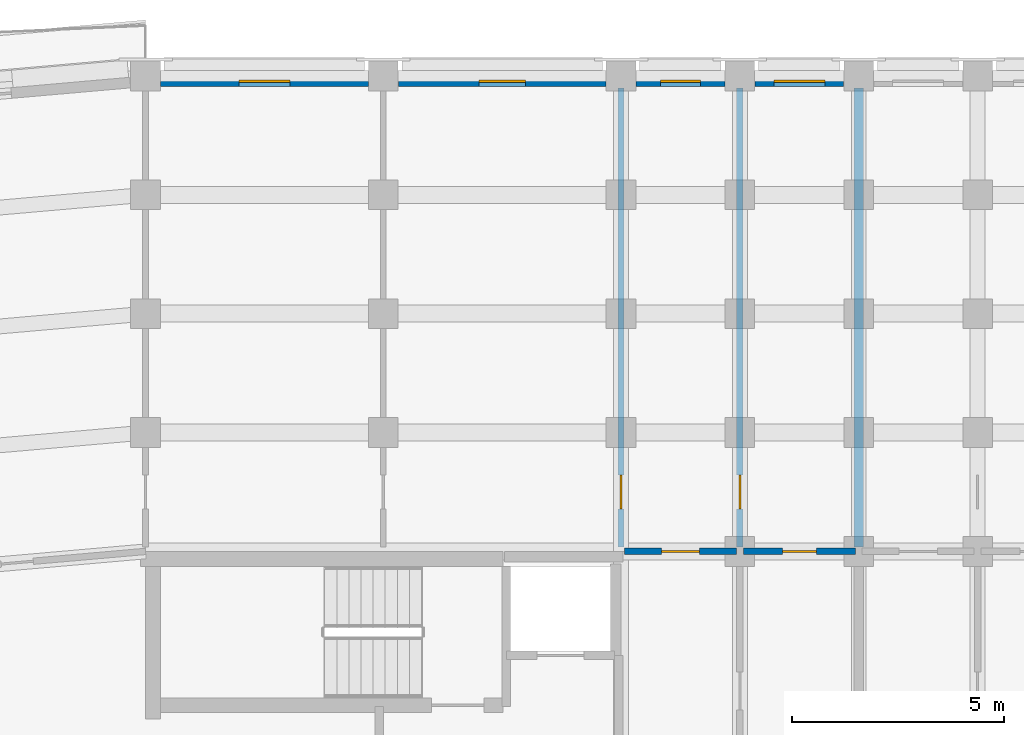
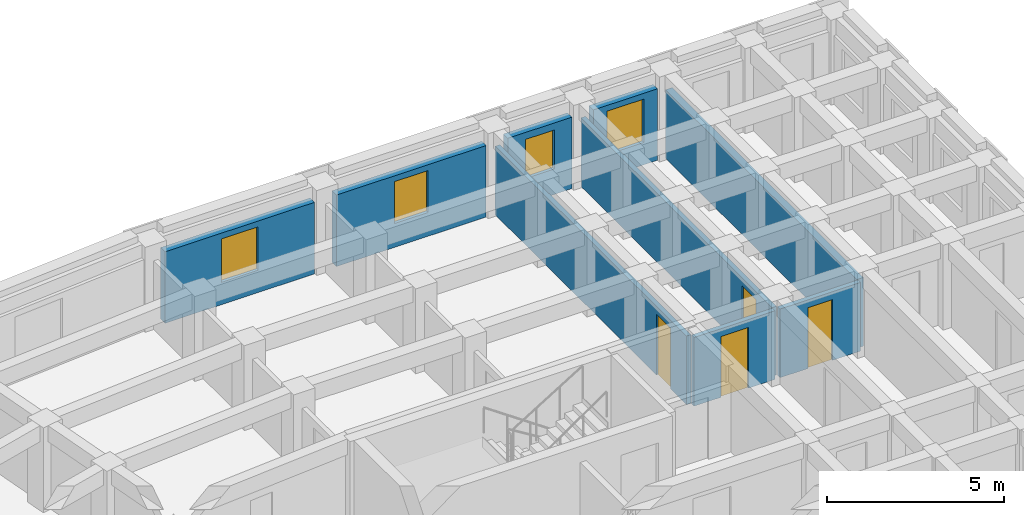
# One storey, part 28 of 54: 9 walls, 4 doors, 4 windows, 8 openings.
"""IFC4 building model written with IfcOpenShell, lengths in metres."""

from ifc_helpers import new_model, si_unit, direction, frame, frame_2d, origin, place, context, subcontext, project, spatial, rectangle, extrude, material, layer, layer_set, type_object, element, fill, save


model = new_model("IFC4")

# Units and contexts
model_context = context("Model", 3, precision=1e-05, world=origin(), true_north=direction((0.0, 1.0)))
body_context = subcontext(model_context, "Body", "Model", "MODEL_VIEW")
ifc_project = project(units=[si_unit("LENGTHUNIT", "METRE"), si_unit("AREAUNIT", "SQUARE_METRE"), si_unit("VOLUMEUNIT", "CUBIC_METRE"), si_unit("PLANEANGLEUNIT", "RADIAN"), si_unit("MASSUNIT", "GRAM", prefix="KILO")], contexts=[model_context])

# Site, building, storey
site_placement = place(None, origin())
site = spatial("IfcSite", under=ifc_project, at=site_placement, CompositionType="ELEMENT")
building_placement = place(site_placement, origin())
building = spatial("IfcBuilding", under=site, at=building_placement, Name="Kiranvali Square Residences", CompositionType="ELEMENT")
storey_placement = place(building_placement, frame((0.0, 0.0, 27.60009765625)))
storey = spatial("IfcBuildingStorey", under=building, at=storey_placement, Name="L08", CompositionType="ELEMENT", Elevation=27.60009765625)

# Wall
ifc_material_1 = material(Name="Autoclaved aerated concrete blockwork masonry", Category="masonry")
ifc_layer_1 = layer(ifc_material_1, 0.219970703125)
ifc_layer_set_1 = layer_set([ifc_layer_1], Name="Autoclaved aerated concrete blockwork masonry")
wall_type_1 = type_object("IfcWallType", Name="WL-DEM-220", PredefinedType="STANDARD", material=ifc_layer_set_1)
wall_1_placement = place(storey_placement, frame((65.0, 122.699951171875, 0.0), z_axis=(0.0, 0.0, 1.0), x_axis=(0.0, 1.0, 0.0)))
element("IfcWall", 1, at=wall_1_placement, inside=storey, type_object=wall_type_1, Name="L08 architectural wall WL-L08-A-A1TO2-2", PredefinedType="STANDARD", context=body_context, shape_type="SweptSolid", body=[
    extrude(rectangle(XDim=10.820068359375, YDim=0.219970703125, at=frame_2d((5.41015625, 0.0))), origin(), (0.0, 0.0, 1.0), 2.371826171875),
])

# Wall, opening, window
ifc_material_2 = material(Name="Breathable lime-rendered clay brick masonry", Category="masonry")
ifc_layer_2 = layer(ifc_material_2, 0.25)
ifc_layer_set_2 = layer_set([ifc_layer_2], Name="Breathable lime-rendered clay brick masonry")
wall_type_2 = type_object("IfcWallType", Name="WL-EXT-250", PredefinedType="STANDARD", material=ifc_layer_set_2)
wall_2_placement = place(storey_placement, frame((48.553466796875, 133.675048828125, 0.0), z_axis=(0.0, 0.0, 1.0), x_axis=(1.0, 0.0, 0.0)))
wall_2 = element("IfcWall", 2, at=wall_2_placement, inside=storey, type_object=wall_type_2, Name="L08 exterior wall A-L08-A1O-0", PredefinedType="STANDARD", context=body_context, shape_type="SweptSolid", body=[
    extrude(rectangle(XDim=4.89306640625, YDim=0.25, at=frame_2d((2.446533203125, 0.0))), origin(), (0.0, 0.0, 1.0), 2.471923828125),
])
opening_1_placement = place(wall_2_placement, frame((1.846435546875, 0.0, 0.77197265625)))
opening_1 = element("IfcOpeningElement", 3, at=opening_1_placement, cuts=wall_2, Name="Opening W-06", PredefinedType="OPENING", context=body_context, shape_type="SweptSolid", body=[
    extrude(rectangle(XDim=1.199951171875, YDim=1.5, at=frame_2d((0.60009765625, 0.75))), frame((0.0, 0.135009765625, 0.0), z_axis=(0.0, -1.0, 0.0), x_axis=(1.0, 0.0, 0.0)), (0.0, 0.0, 1.0), 0.27001953125),
])
ifc_material_3 = material(Name="Solar-control low-e double glazing", Category="glass")
window_type_1 = type_object("IfcWindowType", Name="WIN-RES-1200x1500", PartitioningType="SINGLE_PANEL", PredefinedType="WINDOW", material=ifc_material_3)
window_1_placement = place(opening_1_placement, origin())
window_1 = element("IfcWindow", 4, at=window_1_placement, inside=storey, type_object=window_type_1, Name="L08 recessed window A-L08-A1O-0", OverallHeight=1.5, OverallWidth=1.199951171875, PartitioningType="SINGLE_PANEL", PredefinedType="WINDOW", context=body_context, shape_type="SweptSolid", body=[
    extrude(rectangle(XDim=1.199951171875, YDim=1.5, at=frame_2d((0.60009765625, 0.75))), frame((0.0, 0.030029296875, 0.0), z_axis=(0.0, -1.0, 0.0), x_axis=(1.0, 0.0, 0.0)), (0.0, 0.0, 1.0), 0.06005859375),
])
fill(opening_1, window_1)

wall_3_placement = place(storey_placement, frame((54.153564453125, 133.675048828125, 0.0), z_axis=(0.0, 0.0, 1.0), x_axis=(1.0, 0.0, 0.0)))
wall_3 = element("IfcWall", 5, at=wall_3_placement, inside=storey, type_object=wall_type_2, Name="L08 exterior wall A-L08-A1O-1", PredefinedType="STANDARD", context=body_context, shape_type="SweptSolid", body=[
    extrude(rectangle(XDim=4.892822265625, YDim=0.25, at=frame_2d((2.4462890625, 0.0))), origin(), (0.0, 0.0, 1.0), 2.471923828125),
])
opening_2_placement = place(wall_3_placement, frame((1.896484375, 0.0, 0.822021484375)))
opening_2 = element("IfcOpeningElement", 6, at=opening_2_placement, cuts=wall_3, Name="Opening W-15", PredefinedType="OPENING", context=body_context, shape_type="SweptSolid", body=[
    extrude(rectangle(XDim=1.10009765625, YDim=1.449951171875, at=frame_2d((0.550048828125, 0.72509765625))), frame((0.0, 0.135009765625, 0.0), z_axis=(0.0, -1.0, 0.0), x_axis=(1.0, 0.0, 0.0)), (0.0, 0.0, 1.0), 0.27001953125),
])
window_type_2 = type_object("IfcWindowType", Name="WIN-RES-1100x1450", PartitioningType="SINGLE_PANEL", PredefinedType="WINDOW", material=ifc_material_3)
window_2_placement = place(opening_2_placement, origin())
window_2 = element("IfcWindow", 7, at=window_2_placement, inside=storey, type_object=window_type_2, Name="L08 recessed window A-L08-A1O-1", OverallHeight=1.449951171875, OverallWidth=1.10009765625, PartitioningType="SINGLE_PANEL", PredefinedType="WINDOW", context=body_context, shape_type="SweptSolid", body=[
    extrude(rectangle(XDim=1.10009765625, YDim=1.449951171875, at=frame_2d((0.550048828125, 0.72509765625))), frame((0.0, 0.030029296875, 0.0), z_axis=(0.0, -1.0, 0.0), x_axis=(1.0, 0.0, 0.0)), (0.0, 0.0, 1.0), 0.06005859375),
])
fill(opening_2, window_2)

wall_4_placement = place(storey_placement, frame((59.75341796875, 133.675048828125, 0.0), z_axis=(0.0, 0.0, 1.0), x_axis=(1.0, 0.0, 0.0)))
wall_4 = element("IfcWall", 8, at=wall_4_placement, inside=storey, type_object=wall_type_2, Name="L08 exterior wall A-L08-A1O-2", PredefinedType="STANDARD", context=body_context, shape_type="SweptSolid", body=[
    extrude(rectangle(XDim=2.093017578125, YDim=0.25, at=frame_2d((1.04638671875, 0.0))), origin(), (0.0, 0.0, 1.0), 2.471923828125),
])
opening_3_placement = place(wall_4_placement, frame((0.571533203125, 0.0, 0.8798828125)))
opening_3 = element("IfcOpeningElement", 9, at=opening_3_placement, cuts=wall_4, Name="Opening W-16", PredefinedType="OPENING", context=body_context, shape_type="SweptSolid", body=[
    extrude(rectangle(XDim=0.949951171875, YDim=1.35009765625, at=frame_2d((0.47509765625, 0.675048828125))), frame((0.0, 0.135009765625, 0.0), z_axis=(0.0, -1.0, 0.0), x_axis=(1.0, 0.0, 0.0)), (0.0, 0.0, 1.0), 0.27001953125),
])
window_type_3 = type_object("IfcWindowType", Name="WIN-RES-950x1350", PartitioningType="SINGLE_PANEL", PredefinedType="WINDOW", material=ifc_material_3)
window_3_placement = place(opening_3_placement, origin())
window_3 = element("IfcWindow", 10, at=window_3_placement, inside=storey, type_object=window_type_3, Name="L08 recessed window A-L08-A1O-2", OverallHeight=1.35009765625, OverallWidth=0.949951171875, PartitioningType="SINGLE_PANEL", PredefinedType="WINDOW", context=body_context, shape_type="SweptSolid", body=[
    extrude(rectangle(XDim=0.949951171875, YDim=1.35009765625, at=frame_2d((0.47509765625, 0.675048828125))), frame((0.0, 0.030029296875, 0.0), z_axis=(0.0, -1.0, 0.0), x_axis=(1.0, 0.0, 0.0)), (0.0, 0.0, 1.0), 0.06005859375),
])
fill(opening_3, window_3)

wall_5_placement = place(storey_placement, frame((62.553466796875, 133.675048828125, 0.0), z_axis=(0.0, 0.0, 1.0), x_axis=(1.0, 0.0, 0.0)))
wall_5 = element("IfcWall", 11, at=wall_5_placement, inside=storey, type_object=wall_type_2, Name="L08 exterior wall A-L08-A1O-3", PredefinedType="STANDARD", context=body_context, shape_type="SweptSolid", body=[
    extrude(rectangle(XDim=2.093017578125, YDim=0.25, at=frame_2d((1.04638671875, 0.0))), origin(), (0.0, 0.0, 1.0), 2.471923828125),
])
opening_4_placement = place(wall_5_placement, frame((0.446533203125, 0.0, 0.77197265625)))
opening_4 = element("IfcOpeningElement", 12, at=opening_4_placement, cuts=wall_5, Name="Opening W-06", PredefinedType="OPENING", context=body_context, shape_type="SweptSolid", body=[
    extrude(rectangle(XDim=1.199951171875, YDim=1.5, at=frame_2d((0.60009765625, 0.75))), frame((0.0, 0.135009765625, 0.0), z_axis=(0.0, -1.0, 0.0), x_axis=(1.0, 0.0, 0.0)), (0.0, 0.0, 1.0), 0.27001953125),
])
window_4_placement = place(opening_4_placement, origin())
window_4 = element("IfcWindow", 13, at=window_4_placement, inside=storey, type_object=window_type_1, Name="L08 recessed window A-L08-A1O-3", OverallHeight=1.5, OverallWidth=1.199951171875, PartitioningType="SINGLE_PANEL", PredefinedType="WINDOW", context=body_context, shape_type="SweptSolid", body=[
    extrude(rectangle(XDim=1.199951171875, YDim=1.5, at=frame_2d((0.60009765625, 0.75))), frame((0.0, 0.030029296875, 0.0), z_axis=(0.0, -1.0, 0.0), x_axis=(1.0, 0.0, 0.0)), (0.0, 0.0, 1.0), 0.06005859375),
])
fill(opening_4, window_4)

# Wall, opening, door
ifc_material_4 = material(Name="Acoustic gypsum board drylined partition", Category="gypsum")
ifc_layer_3 = layer(ifc_material_4, 0.14990234375)
ifc_layer_set_3 = layer_set([ifc_layer_3], Name="Acoustic gypsum board drylined partition")
wall_type_3 = type_object("IfcWallType", Name="WL-PRT-150", PredefinedType="PARTITIONING", material=ifc_layer_set_3)
wall_6_placement = place(storey_placement, frame((59.39990234375, 122.699951171875, 0.0), z_axis=(0.0, 0.0, 1.0), x_axis=(0.0, 1.0, 0.0)))
wall_6 = element("IfcWall", 14, at=wall_6_placement, inside=storey, type_object=wall_type_3, Name="L08 architectural wall WL-L08-A-A1TO2-0", PredefinedType="PARTITIONING", context=body_context, shape_type="SweptSolid", body=[
    extrude(rectangle(XDim=10.820068359375, YDim=0.14990234375, at=frame_2d((5.41015625, 0.0))), origin(), (0.0, 0.0, 1.0), 2.371826171875),
])
opening_5_placement = place(wall_6_placement, frame((0.8994140625, 0.0, 0.0)))
opening_5 = element("IfcOpeningElement", 15, at=opening_5_placement, cuts=wall_6, Name="Opening ID-WET", PredefinedType="OPENING", context=body_context, shape_type="SweptSolid", body=[
    extrude(rectangle(XDim=0.800048828125, YDim=2.10009765625, at=frame_2d((0.39990234375, 1.050048828125))), frame((0.0, 0.0849609375, 0.0), z_axis=(0.0, -1.0, 0.0), x_axis=(1.0, 0.0, 0.0)), (0.0, 0.0, 1.0), 0.169921875),
])
ifc_material_5 = material(Name="Solid seasoned teak hardwood joinery", Category="wood")
door_type_1 = type_object("IfcDoorType", Name="DR-WET-800", OperationType="NOTDEFINED", PredefinedType="DOOR", material=ifc_material_5)
door_1_placement = place(opening_5_placement, origin())
door_1 = element("IfcDoor", 16, at=door_1_placement, inside=storey, type_object=door_type_1, Name="L08 door DR-L08-0531 (DR-WET-800)", OperationType="SINGLE_SWING_LEFT", OverallHeight=2.10009765625, OverallWidth=0.800048828125, PredefinedType="DOOR", context=body_context, shape_type="SweptSolid", body=[
    extrude(rectangle(XDim=0.800048828125, YDim=2.10009765625, at=frame_2d((0.39990234375, 1.050048828125))), frame((0.0, 0.02490234375, 0.0), z_axis=(0.0, -1.0, 0.0), x_axis=(1.0, 0.0, 0.0)), (0.0, 0.0, 1.0), 0.050048828125),
])
fill(opening_5, door_1)

wall_7_placement = place(storey_placement, frame((62.199951171875, 122.699951171875, 0.0), z_axis=(0.0, 0.0, 1.0), x_axis=(0.0, 1.0, 0.0)))
wall_7 = element("IfcWall", 17, at=wall_7_placement, inside=storey, type_object=wall_type_3, Name="L08 architectural wall WL-L08-A-A1TO2-1", PredefinedType="PARTITIONING", context=body_context, shape_type="SweptSolid", body=[
    extrude(rectangle(XDim=10.820068359375, YDim=0.14990234375, at=frame_2d((5.41015625, 0.0))), origin(), (0.0, 0.0, 1.0), 2.371826171875),
])
opening_6_placement = place(wall_7_placement, frame((0.8994140625, 0.0, 0.0)))
opening_6 = element("IfcOpeningElement", 18, at=opening_6_placement, cuts=wall_7, Name="Opening ID-WET", PredefinedType="OPENING", context=body_context, shape_type="SweptSolid", body=[
    extrude(rectangle(XDim=0.800048828125, YDim=2.10009765625, at=frame_2d((0.39990234375, 1.050048828125))), frame((0.0, 0.0849609375, 0.0), z_axis=(0.0, -1.0, 0.0), x_axis=(1.0, 0.0, 0.0)), (0.0, 0.0, 1.0), 0.169921875),
])
door_2_placement = place(opening_6_placement, frame((0.800048828125, 0.0, 0.0), z_axis=(0.0, 0.0, 1.0), x_axis=(-1.0, 0.0, 0.0)))
door_2 = element("IfcDoor", 19, at=door_2_placement, inside=storey, type_object=door_type_1, Name="L08 door DR-L08-0534 (DR-WET-800)", OperationType="SINGLE_SWING_RIGHT", OverallHeight=2.10009765625, OverallWidth=0.800048828125, PredefinedType="DOOR", context=body_context, shape_type="SweptSolid", body=[
    extrude(rectangle(XDim=0.800048828125, YDim=2.10009765625, at=frame_2d((0.39990234375, 1.050048828125))), frame((0.0, 0.02490234375, 0.0), z_axis=(0.0, -1.0, 0.0), x_axis=(1.0, 0.0, 0.0)), (0.0, 0.0, 1.0), 0.050048828125),
])
fill(opening_6, door_2)

ifc_layer_4 = layer(ifc_material_1, 0.14990234375)
ifc_layer_set_4 = layer_set([ifc_layer_4], Name="Autoclaved aerated concrete blockwork masonry")
wall_type_4 = type_object("IfcWallType", Name="WL-WET-150", PredefinedType="PLUMBINGWALL", material=ifc_layer_set_4)
wall_8_placement = place(storey_placement, frame((59.47998046875, 122.60009765625, 0.0), z_axis=(0.0, 0.0, 1.0), x_axis=(1.0, 0.0, 0.0)))
wall_8 = element("IfcWall", 20, at=wall_8_placement, inside=storey, type_object=wall_type_4, Name="L08 architectural wall WL-L08-A-A1SP-0", PredefinedType="PLUMBINGWALL", context=body_context, shape_type="SweptSolid", body=[
    extrude(rectangle(XDim=2.64013671875, YDim=0.14990234375, at=frame_2d((1.320068359375, 0.0))), origin(), (0.0, 0.0, 1.0), 2.371826171875),
])
opening_7_placement = place(wall_8_placement, frame((0.8701171875, 0.0, 0.0)))
opening_7 = element("IfcOpeningElement", 21, at=opening_7_placement, cuts=wall_8, Name="Opening ID-1", PredefinedType="OPENING", context=body_context, shape_type="SweptSolid", body=[
    extrude(rectangle(XDim=0.89990234375, YDim=2.10009765625, at=frame_2d((0.449951171875, 1.050048828125))), frame((0.0, 0.0849609375, 0.0), z_axis=(0.0, -1.0, 0.0), x_axis=(1.0, 0.0, 0.0)), (0.0, 0.0, 1.0), 0.169921875),
])
door_type_2 = type_object("IfcDoorType", Name="DR-INT-900", OperationType="NOTDEFINED", PredefinedType="DOOR", material=ifc_material_5)
door_3_placement = place(opening_7_placement, frame((0.89990234375, 0.0, 0.0), z_axis=(0.0, 0.0, 1.0), x_axis=(-1.0, 0.0, 0.0)))
door_3 = element("IfcDoor", 22, at=door_3_placement, inside=storey, type_object=door_type_2, Name="L08 door DR-L08-0524 (DR-INT-900)", OperationType="SINGLE_SWING_RIGHT", OverallHeight=2.10009765625, OverallWidth=0.89990234375, PredefinedType="DOOR", context=body_context, shape_type="SweptSolid", body=[
    extrude(rectangle(XDim=0.89990234375, YDim=2.10009765625, at=frame_2d((0.449951171875, 1.050048828125))), frame((0.0, 0.02490234375, 0.0), z_axis=(0.0, -1.0, 0.0), x_axis=(1.0, 0.0, 0.0)), (0.0, 0.0, 1.0), 0.050048828125),
])
fill(opening_7, door_3)

wall_9_placement = place(storey_placement, frame((62.280029296875, 122.60009765625, 0.0), z_axis=(0.0, 0.0, 1.0), x_axis=(1.0, 0.0, 0.0)))
wall_9 = element("IfcWall", 23, at=wall_9_placement, inside=storey, type_object=wall_type_4, Name="L08 architectural wall WL-L08-A-A1SP-1", PredefinedType="PLUMBINGWALL", context=body_context, shape_type="SweptSolid", body=[
    extrude(rectangle(XDim=2.639892578125, YDim=0.14990234375, at=frame_2d((1.31982421875, 0.0))), origin(), (0.0, 0.0, 1.0), 2.371826171875),
])
opening_8_placement = place(wall_9_placement, frame((0.919921875, 0.0, 0.0)))
opening_8 = element("IfcOpeningElement", 24, at=opening_8_placement, cuts=wall_9, Name="Opening ID-WET", PredefinedType="OPENING", context=body_context, shape_type="SweptSolid", body=[
    extrude(rectangle(XDim=0.800048828125, YDim=2.10009765625, at=frame_2d((0.39990234375, 1.050048828125))), frame((0.0, 0.0849609375, 0.0), z_axis=(0.0, -1.0, 0.0), x_axis=(1.0, 0.0, 0.0)), (0.0, 0.0, 1.0), 0.169921875),
])
door_4_placement = place(opening_8_placement, frame((0.800048828125, 0.0, 0.0), z_axis=(0.0, 0.0, 1.0), x_axis=(-1.0, 0.0, 0.0)))
door_4 = element("IfcDoor", 25, at=door_4_placement, inside=storey, type_object=door_type_1, Name="L08 door DR-L08-0526 (DR-WET-800)", OperationType="SINGLE_SWING_RIGHT", OverallHeight=2.10009765625, OverallWidth=0.800048828125, PredefinedType="DOOR", context=body_context, shape_type="SweptSolid", body=[
    extrude(rectangle(XDim=0.800048828125, YDim=2.10009765625, at=frame_2d((0.39990234375, 1.050048828125))), frame((0.0, 0.02490234375, 0.0), z_axis=(0.0, -1.0, 0.0), x_axis=(1.0, 0.0, 0.0)), (0.0, 0.0, 1.0), 0.050048828125),
])
fill(opening_8, door_4)

save(model, "model.ifc")
